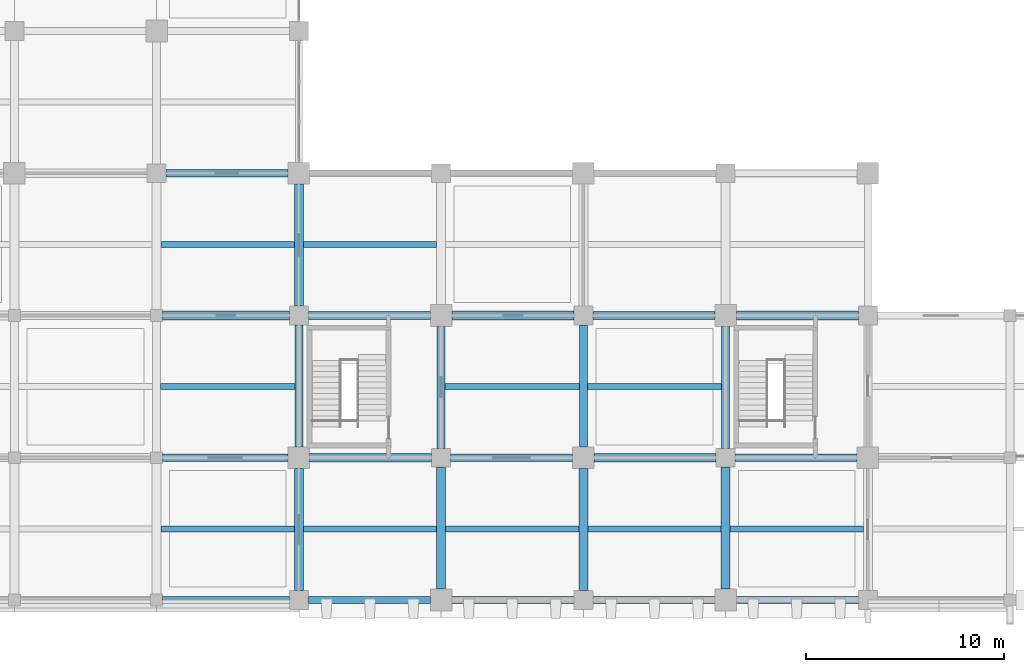
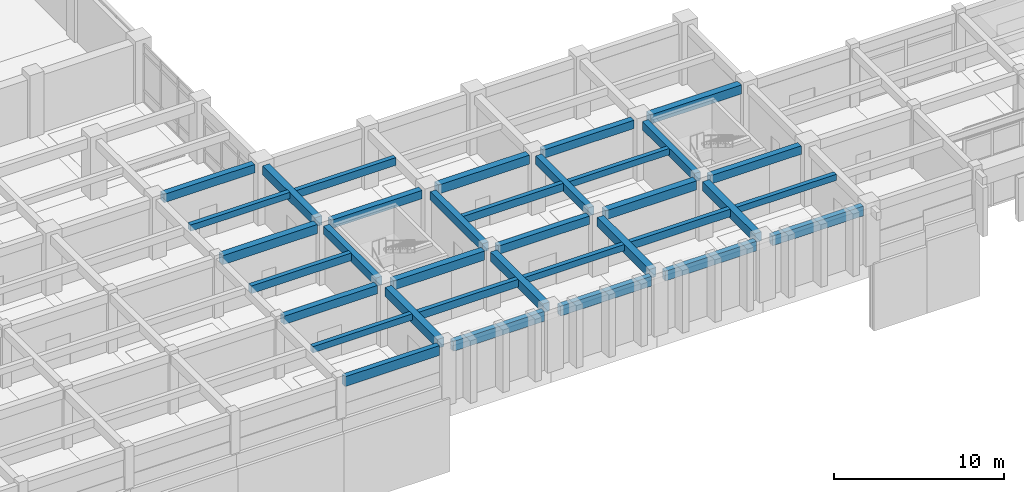
# One storey, part 4 of 81: 35 beams.
"""IFC4 building model written with IfcOpenShell, lengths in metres."""

from ifc_helpers import new_model, si_unit, direction, frame, origin, origin_2d, place, context, subcontext, project, spatial, rectangle, extrude, material, material_profile, profile_set, type_object, element, save


model = new_model("IFC4")

# Units and contexts
model_context = context("Model", 3, precision=1e-05, world=origin(), true_north=direction((0.0, 1.0)))
body_context = subcontext(model_context, "Body", "Model", "MODEL_VIEW")
ifc_project = project(units=[si_unit("LENGTHUNIT", "METRE"), si_unit("AREAUNIT", "SQUARE_METRE"), si_unit("VOLUMEUNIT", "CUBIC_METRE"), si_unit("PLANEANGLEUNIT", "RADIAN"), si_unit("MASSUNIT", "GRAM", prefix="KILO")], contexts=[model_context])

# Site, building, storey
site_placement = place(None, origin())
site = spatial("IfcSite", under=ifc_project, at=site_placement, CompositionType="ELEMENT")
building_placement = place(site_placement, origin())
building = spatial("IfcBuilding", under=site, at=building_placement, Name="Kavelor Marine Aquarium", CompositionType="ELEMENT")
storey_placement = place(building_placement, frame((0.0, 0.0, 4.679931640625)))
storey = spatial("IfcBuildingStorey", under=building, at=storey_placement, Name="L01", CompositionType="ELEMENT", Elevation=4.679931640625)

# Beams
ifc_material_1 = material(Name="Concrete C40/50", Category="concrete")
ifc_material_profile_1 = material_profile(ifc_material_1, rectangle(XDim=0.449951171875, YDim=0.64990234375, at=origin_2d()), Name="RC-BM 450x650")
ifc_profile_set_1 = profile_set([ifc_material_profile_1], Name="Concrete C40/50")
beam_type_1 = type_object("IfcBeamType", Name="BM-B3", PredefinedType="BEAM", material=ifc_profile_set_1)
beam_1_placement = place(storey_placement, frame((32.300048828125, 17.199951171875, 3.93505859375), z_axis=(1.0, 0.0, 0.0), x_axis=(0.0, 1.0, 0.0)))
element("IfcBeam", 1, at=beam_1_placement, inside=storey, type_object=beam_type_1, Name="bm:x:L01:L02:04_02", PredefinedType="BEAM", context=body_context, shape_type="SweptSolid", body=[
    extrude(rectangle(XDim=0.449951171875, YDim=0.64990234375, at=origin_2d()), origin(), (0.0, 0.0, 1.0), 6.425048828125),
])
for number, where, z_axis, x_axis, name in (
    (2, (39.75, 10.0, 3.875), (1.0, 0.0, 0.0), (0.0, 1.0, 0.0), "bm:x:L01:L02:05_01"),
    (3, (46.949951171875, 17.199951171875, 3.875), (1.0, 0.0, 0.0), (0.0, 1.0, 0.0), "bm:x:L01:L02:06_02"),
    (4, (54.14990234375, 10.0, 3.875), (1.0, 0.0, 0.0), (0.0, 1.0, 0.0), "bm:x:L01:L02:07_01"),
):
    element("IfcBeam", number, at=place(storey_placement, frame(where, z_axis=z_axis, x_axis=x_axis)), inside=storey, type_object=beam_type_1, Name=name, PredefinedType="BEAM", context=body_context, shape_type="SweptSolid", body=[
        extrude(rectangle(XDim=0.449951171875, YDim=0.64990234375, at=origin_2d()), origin(), (0.0, 0.0, 1.0), 6.175048828125),
    ])
beam_2_placement = place(storey_placement, frame((61.35009765625, 17.199951171875, 3.875), z_axis=(1.0, 0.0, 0.0), x_axis=(0.0, 1.0, 0.0)))
element("IfcBeam", 5, at=beam_2_placement, inside=storey, type_object=beam_type_1, Name="bm:x:L01:L02:08_02", PredefinedType="BEAM", context=body_context, shape_type="SweptSolid", body=[
    extrude(rectangle(XDim=0.449951171875, YDim=0.64990234375, at=origin_2d()), origin(), (0.0, 0.0, 1.0), 6.1748046875),
])
for number, where, z_axis, x_axis, name in (
    (6, (39.199951171875, 3.27490234375, 3.89501953125), (0.0, 1.0, 0.0), (-1.0, 0.0, 0.0), "bm:y:L01:L02:05_00"),
    (7, (39.199951171875, 17.675048828125, 3.89501953125), (0.0, 1.0, 0.0), (-1.0, 0.0, 0.0), "bm:y:L01:L02:05_02"),
):
    element("IfcBeam", number, at=place(storey_placement, frame(where, z_axis=z_axis, x_axis=x_axis)), inside=storey, type_object=beam_type_1, Name=name, PredefinedType="BEAM", context=body_context, shape_type="SweptSolid", body=[
        extrude(rectangle(XDim=0.449951171875, YDim=0.64990234375, at=origin_2d()), origin(), (0.0, 0.0, 1.0), 6.175048828125),
    ])
beam_3_placement = place(storey_placement, frame((46.39990234375, 3.35009765625, 3.875), z_axis=(0.0, 1.0, 0.0), x_axis=(-1.0, 0.0, 0.0)))
element("IfcBeam", 8, at=beam_3_placement, inside=storey, type_object=beam_type_1, Name="bm:y:L01:L02:06_00", PredefinedType="BEAM", context=body_context, shape_type="SweptSolid", body=[
    extrude(rectangle(XDim=0.449951171875, YDim=0.64990234375, at=origin_2d()), origin(), (0.0, 0.0, 1.0), 6.1748046875),
])
beam_4_placement = place(storey_placement, frame((53.60009765625, 3.27490234375, 3.875), z_axis=(0.0, 1.0, 0.0), x_axis=(-1.0, 0.0, 0.0)))
element("IfcBeam", 9, at=beam_4_placement, inside=storey, type_object=beam_type_1, Name="bm:y:L01:L02:07_00", PredefinedType="BEAM", context=body_context, shape_type="SweptSolid", body=[
    extrude(rectangle(XDim=0.449951171875, YDim=0.64990234375, at=origin_2d()), origin(), (0.0, 0.0, 1.0), 6.175048828125),
])
beam_5_placement = place(storey_placement, frame((60.800048828125, 3.35009765625, 3.875), z_axis=(0.0, 1.0, 0.0), x_axis=(-1.0, 0.0, 0.0)))
element("IfcBeam", 10, at=beam_5_placement, inside=storey, type_object=beam_type_1, Name="bm:y:L01:L02:08_00", PredefinedType="BEAM", context=body_context, shape_type="SweptSolid", body=[
    extrude(rectangle(XDim=0.449951171875, YDim=0.64990234375, at=origin_2d()), origin(), (0.0, 0.0, 1.0), 6.1748046875),
])
ifc_material_2 = material(Name="Concrete C40/50", Category="concrete")
ifc_material_profile_2 = material_profile(ifc_material_2, rectangle(XDim=0.39990234375, YDim=0.60009765625, at=origin_2d()), Name="RC-BM 400x600")
ifc_profile_set_2 = profile_set([ifc_material_profile_2], Name="Concrete C40/50")
beam_type_2 = type_object("IfcBeamType", Name="BM-B4", PredefinedType="BEAM", material=ifc_profile_set_2)
beam_6_placement = place(storey_placement, frame((32.300048828125, 10.0, 3.9599609375), z_axis=(1.0, 0.0, 0.0), x_axis=(0.0, 1.0, 0.0)))
element("IfcBeam", 11, at=beam_6_placement, inside=storey, type_object=beam_type_2, Name="bm:x:L01:L02:04_01", PredefinedType="BEAM", context=body_context, shape_type="SweptSolid", body=[
    extrude(rectangle(XDim=0.39990234375, YDim=0.60009765625, at=origin_2d()), origin(), (0.0, 0.0, 1.0), 6.349853515625),
])
beam_7_placement = place(storey_placement, frame((32.47509765625, 24.39990234375, 3.920166015625), z_axis=(1.0, 0.0, 0.0), x_axis=(0.0, 1.0, 0.0)))
element("IfcBeam", 12, at=beam_7_placement, inside=storey, type_object=beam_type_2, Name="bm:x:L01:L02:04_03", PredefinedType="BEAM", context=body_context, shape_type="SweptSolid", body=[
    extrude(rectangle(XDim=0.39990234375, YDim=0.60009765625, at=origin_2d()), origin(), (0.0, 0.0, 1.0), 6.1748046875),
])
for number, where, z_axis, x_axis, name in (
    (13, (39.675048828125, 17.199951171875, 3.900146484375), (1.0, 0.0, 0.0), (0.0, 1.0, 0.0), "bm:x:L01:L02:05_02"),
    (14, (46.875, 10.0, 3.900146484375), (1.0, 0.0, 0.0), (0.0, 1.0, 0.0), "bm:x:L01:L02:06_01"),
    (15, (54.074951171875, 17.199951171875, 3.900146484375), (1.0, 0.0, 0.0), (0.0, 1.0, 0.0), "bm:x:L01:L02:07_02"),
    (16, (61.27490234375, 10.0, 3.900146484375), (1.0, 0.0, 0.0), (0.0, 1.0, 0.0), "bm:x:L01:L02:08_01"),
    (17, (39.199951171875, 10.550048828125, 3.900146484375), (0.0, 1.0, 0.0), (-1.0, 0.0, 0.0), "bm:y:L01:L02:05_01"),
):
    element("IfcBeam", number, at=place(storey_placement, frame(where, z_axis=z_axis, x_axis=x_axis)), inside=storey, type_object=beam_type_2, Name=name, PredefinedType="BEAM", context=body_context, shape_type="SweptSolid", body=[
        extrude(rectangle(XDim=0.39990234375, YDim=0.60009765625, at=origin_2d()), origin(), (0.0, 0.0, 1.0), 6.175048828125),
    ])
beam_8_placement = place(storey_placement, frame((46.39990234375, 10.47509765625, 3.900146484375), z_axis=(0.0, 1.0, 0.0), x_axis=(-1.0, 0.0, 0.0)))
element("IfcBeam", 18, at=beam_8_placement, inside=storey, type_object=beam_type_2, Name="bm:y:L01:L02:06_01", PredefinedType="BEAM", context=body_context, shape_type="SweptSolid", body=[
    extrude(rectangle(XDim=0.39990234375, YDim=0.60009765625, at=origin_2d()), origin(), (0.0, 0.0, 1.0), 6.1748046875),
])
beam_9_placement = place(storey_placement, frame((53.60009765625, 10.550048828125, 3.900146484375), z_axis=(0.0, 1.0, 0.0), x_axis=(-1.0, 0.0, 0.0)))
element("IfcBeam", 19, at=beam_9_placement, inside=storey, type_object=beam_type_2, Name="bm:y:L01:L02:07_01", PredefinedType="BEAM", context=body_context, shape_type="SweptSolid", body=[
    extrude(rectangle(XDim=0.39990234375, YDim=0.60009765625, at=origin_2d()), origin(), (0.0, 0.0, 1.0), 6.175048828125),
])
beam_10_placement = place(storey_placement, frame((60.800048828125, 10.47509765625, 3.900146484375), z_axis=(0.0, 1.0, 0.0), x_axis=(-1.0, 0.0, 0.0)))
element("IfcBeam", 20, at=beam_10_placement, inside=storey, type_object=beam_type_2, Name="bm:y:L01:L02:08_01", PredefinedType="BEAM", context=body_context, shape_type="SweptSolid", body=[
    extrude(rectangle(XDim=0.39990234375, YDim=0.60009765625, at=origin_2d()), origin(), (0.0, 0.0, 1.0), 6.1748046875),
])
ifc_material_3 = material(Name="Concrete C40/50", Category="concrete")
ifc_material_profile_3 = material_profile(ifc_material_3, rectangle(XDim=0.300048828125, YDim=0.449951171875, at=origin_2d()), Name="RC-JS 300x450")
ifc_profile_set_3 = profile_set([ifc_material_profile_3], Name="Concrete C40/50")
beam_type_3 = type_object("IfcBeamType", Name="BM-JS1", PredefinedType="JOIST", material=ifc_profile_set_3)
for number, where, z_axis, x_axis, name in (
    (21, (32.22509765625, 6.39990234375, 4.03515625), (1.0, 0.0, 0.0), (0.0, 1.0, 0.0), "js:L01:L02:04_00"),
    (22, (32.22509765625, 20.800048828125, 4.03515625), (1.0, 0.0, 0.0), (0.0, 1.0, 0.0), "js:L01:L02:04_02"),
    (23, (46.625, 6.39990234375, 3.97509765625), (1.0, 0.0, 0.0), (0.0, 1.0, 0.0), "js:L01:L02:06_00"),
):
    element("IfcBeam", number, at=place(storey_placement, frame(where, z_axis=z_axis, x_axis=x_axis)), inside=storey, type_object=beam_type_3, Name=name, PredefinedType="JOIST", context=body_context, shape_type="SweptSolid", body=[
        extrude(rectangle(XDim=0.300048828125, YDim=0.449951171875, at=origin_2d()), origin(), (0.0, 0.0, 1.0), 6.75),
    ])
beam_11_placement = place(storey_placement, frame((53.800048828125, 13.60009765625, 3.97509765625), z_axis=(1.0, 0.0, 0.0), x_axis=(0.0, 1.0, 0.0)))
element("IfcBeam", 24, at=beam_11_placement, inside=storey, type_object=beam_type_3, Name="js:L01:L02:07_01", PredefinedType="JOIST", context=body_context, shape_type="SweptSolid", body=[
    extrude(rectangle(XDim=0.300048828125, YDim=0.449951171875, at=origin_2d()), origin(), (0.0, 0.0, 1.0), 6.800048828125),
])
beam_12_placement = place(storey_placement, frame((61.02490234375, 6.39990234375, 3.97509765625), z_axis=(1.0, 0.0, 0.0), x_axis=(0.0, 1.0, 0.0)))
element("IfcBeam", 25, at=beam_12_placement, inside=storey, type_object=beam_type_3, Name="js:L01:L02:08_00", PredefinedType="JOIST", context=body_context, shape_type="SweptSolid", body=[
    extrude(rectangle(XDim=0.300048828125, YDim=0.449951171875, at=origin_2d()), origin(), (0.0, 0.0, 1.0), 6.75),
])
ifc_material_4 = material(Name="Concrete C40/50", Category="concrete")
ifc_material_profile_4 = material_profile(ifc_material_4, rectangle(XDim=0.300048828125, YDim=0.550048828125, at=origin_2d()), Name="RC-JS 300x550")
ifc_profile_set_4 = profile_set([ifc_material_profile_4], Name="Concrete C40/50")
beam_type_4 = type_object("IfcBeamType", Name="BM-JS2", PredefinedType="JOIST", material=ifc_profile_set_4)
beam_13_placement = place(storey_placement, frame((32.199951171875, 13.60009765625, 3.985107421875), z_axis=(1.0, 0.0, 0.0), x_axis=(0.0, 1.0, 0.0)))
element("IfcBeam", 26, at=beam_13_placement, inside=storey, type_object=beam_type_4, Name="js:L01:L02:04_01", PredefinedType="JOIST", context=body_context, shape_type="SweptSolid", body=[
    extrude(rectangle(XDim=0.300048828125, YDim=0.550048828125, at=origin_2d()), origin(), (0.0, 0.0, 1.0), 6.800048828125),
])
for number, where, z_axis, x_axis, name in (
    (27, (39.425048828125, 6.39990234375, 3.945068359375), (1.0, 0.0, 0.0), (0.0, 1.0, 0.0), "js:L01:L02:05_00"),
    (28, (39.425048828125, 20.800048828125, 3.945068359375), (1.0, 0.0, 0.0), (0.0, 1.0, 0.0), "js:L01:L02:05_02"),
):
    element("IfcBeam", number, at=place(storey_placement, frame(where, z_axis=z_axis, x_axis=x_axis)), inside=storey, type_object=beam_type_4, Name=name, PredefinedType="JOIST", context=body_context, shape_type="SweptSolid", body=[
        extrude(rectangle(XDim=0.300048828125, YDim=0.550048828125, at=origin_2d()), origin(), (0.0, 0.0, 1.0), 6.75),
    ])
beam_14_placement = place(storey_placement, frame((46.60009765625, 13.60009765625, 3.945068359375), z_axis=(1.0, 0.0, 0.0), x_axis=(0.0, 1.0, 0.0)))
element("IfcBeam", 29, at=beam_14_placement, inside=storey, type_object=beam_type_4, Name="js:L01:L02:06_01", PredefinedType="JOIST", context=body_context, shape_type="SweptSolid", body=[
    extrude(rectangle(XDim=0.300048828125, YDim=0.550048828125, at=origin_2d()), origin(), (0.0, 0.0, 1.0), 6.7998046875),
])
beam_15_placement = place(storey_placement, frame((53.824951171875, 6.39990234375, 3.945068359375), z_axis=(1.0, 0.0, 0.0), x_axis=(0.0, 1.0, 0.0)))
element("IfcBeam", 30, at=beam_15_placement, inside=storey, type_object=beam_type_4, Name="js:L01:L02:07_00", PredefinedType="JOIST", context=body_context, shape_type="SweptSolid", body=[
    extrude(rectangle(XDim=0.300048828125, YDim=0.550048828125, at=origin_2d()), origin(), (0.0, 0.0, 1.0), 6.75),
])
ifc_material_5 = material(Name="Concrete C40/50", Category="concrete")
ifc_material_profile_5 = material_profile(ifc_material_5, rectangle(XDim=0.35009765625, YDim=0.699951171875, at=origin_2d()), Name="RC-SP 350x700")
ifc_profile_set_5 = profile_set([ifc_material_profile_5], Name="Concrete C40/50")
beam_type_5 = type_object("IfcBeamType", Name="BM-SP1", PredefinedType="SPANDREL", material=ifc_profile_set_5)
beam_16_placement = place(storey_placement, frame((32.300048828125, 2.800048828125, 3.91015625), z_axis=(1.0, 0.0, 0.0), x_axis=(0.0, 1.0, 0.0)))
element("IfcBeam", 31, at=beam_16_placement, inside=storey, type_object=beam_type_5, Name="bm:x:L01:L02:04_00", PredefinedType="SPANDREL", context=body_context, shape_type="SweptSolid", body=[
    extrude(rectangle(XDim=0.35009765625, YDim=0.699951171875, at=origin_2d()), origin(), (0.0, 0.0, 1.0), 6.425048828125),
])
for number, where, z_axis, x_axis, name in (
    (32, (39.675048828125, 2.800048828125, 3.8701171875), (1.0, 0.0, 0.0), (0.0, 1.0, 0.0), "bm:x:L01:L02:05_00"),
    (33, (46.949951171875, 2.800048828125, 3.85009765625), (1.0, 0.0, 0.0), (0.0, 1.0, 0.0), "bm:x:L01:L02:06_00"),
    (34, (54.074951171875, 2.800048828125, 3.8701171875), (1.0, 0.0, 0.0), (0.0, 1.0, 0.0), "bm:x:L01:L02:07_00"),
):
    element("IfcBeam", number, at=place(storey_placement, frame(where, z_axis=z_axis, x_axis=x_axis)), inside=storey, type_object=beam_type_5, Name=name, PredefinedType="SPANDREL", context=body_context, shape_type="SweptSolid", body=[
        extrude(rectangle(XDim=0.35009765625, YDim=0.699951171875, at=origin_2d()), origin(), (0.0, 0.0, 1.0), 6.175048828125),
    ])
beam_17_placement = place(storey_placement, frame((61.35009765625, 2.800048828125, 3.85009765625), z_axis=(1.0, 0.0, 0.0), x_axis=(0.0, 1.0, 0.0)))
element("IfcBeam", 35, at=beam_17_placement, inside=storey, type_object=beam_type_5, Name="bm:x:L01:L02:08_00", PredefinedType="SPANDREL", context=body_context, shape_type="SweptSolid", body=[
    extrude(rectangle(XDim=0.35009765625, YDim=0.699951171875, at=origin_2d()), origin(), (0.0, 0.0, 1.0), 6.1748046875),
])

save(model, "model.ifc")
